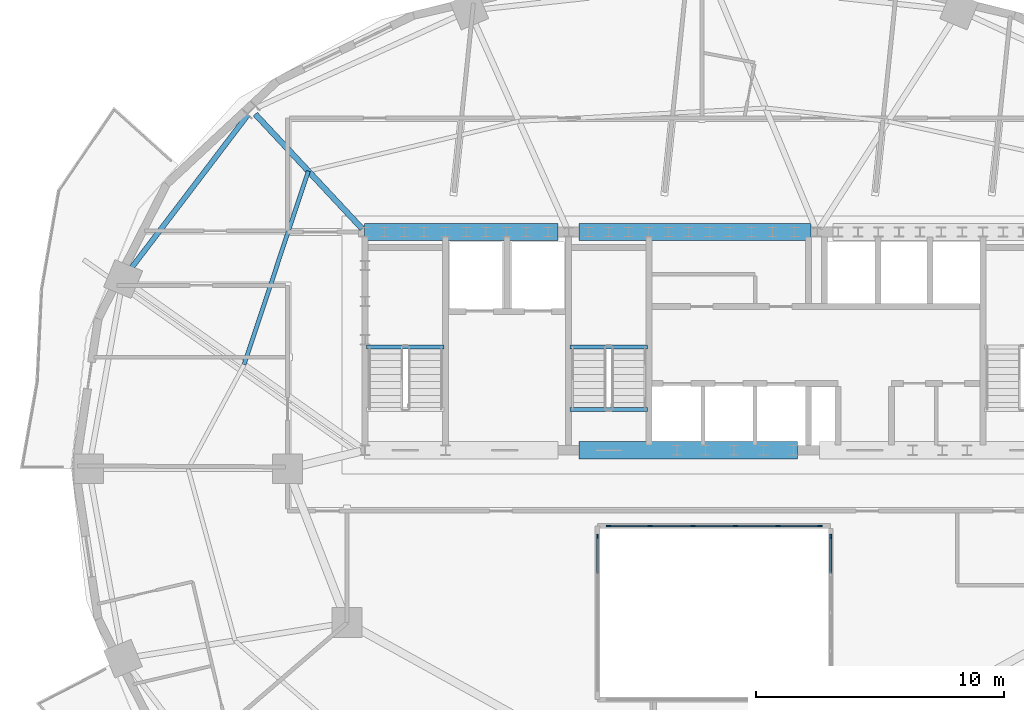
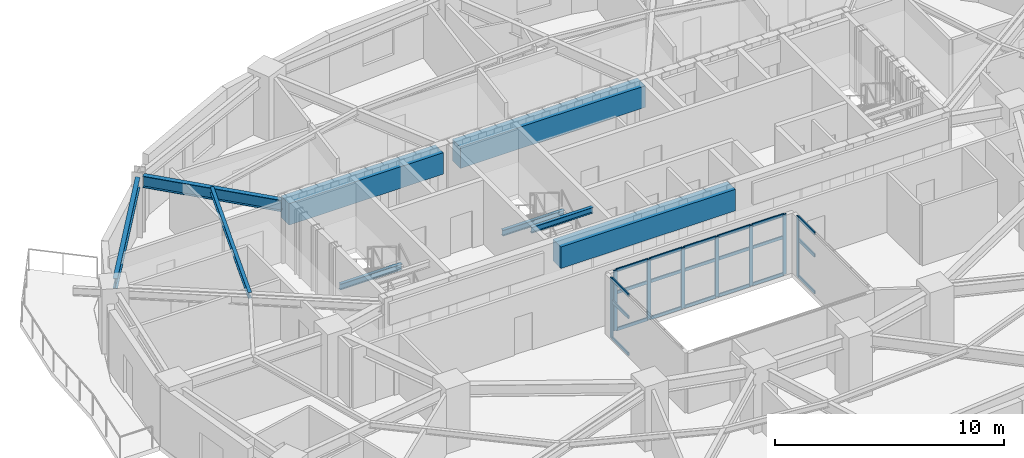
# One storey, part 3 of 13: 29 members, 9 beams, 3 elements without a shape of their own.
"""IFC4 building model written with IfcOpenShell, lengths in metres."""

from ifc_helpers import new_model, si_unit, direction, frame, origin, origin_2d, place, context, subcontext, project, spatial, rectangle, i_section, extrude, material, material_profile, profile_set, type_object, element, aggregate, save


model = new_model("IFC4")

# Units and contexts
model_context = context("Model", 3, precision=1e-05, world=origin(), true_north=direction((0.0, 1.0)))
body_context = subcontext(model_context, "Body", "Model", "MODEL_VIEW")
ifc_project = project(units=[si_unit("LENGTHUNIT", "METRE"), si_unit("AREAUNIT", "SQUARE_METRE"), si_unit("VOLUMEUNIT", "CUBIC_METRE"), si_unit("PLANEANGLEUNIT", "RADIAN"), si_unit("MASSUNIT", "GRAM", prefix="KILO")], contexts=[model_context])

# Site, building, storey
site_placement = place(None, origin())
site = spatial("IfcSite", under=ifc_project, at=site_placement, CompositionType="ELEMENT")
building_placement = place(site_placement, origin())
building = spatial("IfcBuilding", under=site, at=building_placement, Name="Haldorwick Loom Tower", CompositionType="ELEMENT")
storey_placement = place(building_placement, frame((0.0, 0.0, 175.14990234375)))
storey = spatial("IfcBuildingStorey", under=building, at=storey_placement, Name="L47", CompositionType="ELEMENT", Elevation=175.14990234375)

# Curtain wall, members
ifc_material_1 = material(Name="Thermally Broken Anodized Aluminium Curtain Wall Framing", Category="aluminium")
curtain_wall_type = type_object("IfcCurtainWallType", Name="ARC-CW-03", PredefinedType="NOTDEFINED", material=ifc_material_1)
curtain_wall_1_placement = place(storey_placement, origin())
curtain_wall_1 = element("IfcCurtainWall", 1, at=curtain_wall_1_placement, inside=storey, type_object=curtain_wall_type, Name="L47 Atrium Glazed Screen N", PredefinedType="NOTDEFINED")
ifc_material_profile_1 = material_profile(ifc_material_1, rectangle(XDim=0.06591796875, YDim=0.18505859375, at=origin_2d()), Name="ALU_MUL_66X185", Category="aluminium")
ifc_profile_set_1 = profile_set([ifc_material_profile_1], Name="Thermally Broken Anodized Aluminium Curtain Wall Framing")
member_type_1 = type_object("IfcMemberType", Name="ARC-CWM-03", PredefinedType="MULLION", material=ifc_profile_set_1)
member_1_placement = place(storey_placement, frame((31.73291015625, 23.699951171875, 0.0), z_axis=(0.0, 0.0, 1.0), x_axis=(0.0, 1.0, 0.0)))
member_1 = element("IfcMember", 2, at=member_1_placement, type_object=member_type_1, Name="CW-03 mullion 1", PredefinedType="MULLION", context=body_context, shape_type="SweptSolid", body=[
    extrude(rectangle(XDim=0.06591796875, YDim=0.18505859375, at=origin_2d()), origin(), (0.0, 0.0, 1.0), 3.210205078125),
])
member_2_placement = place(storey_placement, frame((33.419921875, 23.699951171875, 0.0), z_axis=(0.0, 0.0, 1.0), x_axis=(0.0, 1.0, 0.0)))
member_2 = element("IfcMember", 3, at=member_2_placement, type_object=member_type_1, Name="CW-03 mullion 2", PredefinedType="MULLION", context=body_context, shape_type="SweptSolid", body=[
    extrude(rectangle(XDim=0.06591796875, YDim=0.18505859375, at=origin_2d()), origin(), (0.0, 0.0, 1.0), 3.210205078125),
])
member_3_placement = place(storey_placement, frame((35.139892578125, 23.699951171875, 0.0), z_axis=(0.0, 0.0, 1.0), x_axis=(0.0, 1.0, 0.0)))
member_3 = element("IfcMember", 4, at=member_3_placement, type_object=member_type_1, Name="CW-03 mullion 3", PredefinedType="MULLION", context=body_context, shape_type="SweptSolid", body=[
    extrude(rectangle(XDim=0.06591796875, YDim=0.18505859375, at=origin_2d()), origin(), (0.0, 0.0, 1.0), 3.210205078125),
])
member_4_placement = place(storey_placement, frame((36.860107421875, 23.699951171875, 0.0), z_axis=(0.0, 0.0, 1.0), x_axis=(0.0, 1.0, 0.0)))
member_4 = element("IfcMember", 5, at=member_4_placement, type_object=member_type_1, Name="CW-03 mullion 4", PredefinedType="MULLION", context=body_context, shape_type="SweptSolid", body=[
    extrude(rectangle(XDim=0.06591796875, YDim=0.18505859375, at=origin_2d()), origin(), (0.0, 0.0, 1.0), 3.210205078125),
])
member_5_placement = place(storey_placement, frame((38.580078125, 23.699951171875, 0.0), z_axis=(0.0, 0.0, 1.0), x_axis=(0.0, 1.0, 0.0)))
member_5 = element("IfcMember", 6, at=member_5_placement, type_object=member_type_1, Name="CW-03 mullion 5", PredefinedType="MULLION", context=body_context, shape_type="SweptSolid", body=[
    extrude(rectangle(XDim=0.06591796875, YDim=0.18505859375, at=origin_2d()), origin(), (0.0, 0.0, 1.0), 3.210205078125),
])
member_6_placement = place(storey_placement, frame((40.26708984375, 23.699951171875, 0.0), z_axis=(0.0, 0.0, 1.0), x_axis=(0.0, 1.0, 0.0)))
member_6 = element("IfcMember", 7, at=member_6_placement, type_object=member_type_1, Name="CW-03 mullion 6", PredefinedType="MULLION", context=body_context, shape_type="SweptSolid", body=[
    extrude(rectangle(XDim=0.06591796875, YDim=0.18505859375, at=origin_2d()), origin(), (0.0, 0.0, 1.0), 3.210205078125),
])

# Curtain wall, member
curtain_wall_2_placement = place(storey_placement, origin())
curtain_wall_2 = element("IfcCurtainWall", 8, at=curtain_wall_2_placement, inside=storey, type_object=curtain_wall_type, Name="L47 Atrium Glazed Screen W", PredefinedType="NOTDEFINED")
member_7_placement = place(storey_placement, frame((31.300048828125, 23.26708984375, 0.0), z_axis=(0.0, 0.0, 1.0), x_axis=(-1.0, 0.0, 0.0)))
member_7 = element("IfcMember", 9, at=member_7_placement, type_object=member_type_1, Name="CW-03 mullion 5", PredefinedType="MULLION", context=body_context, shape_type="SweptSolid", body=[
    extrude(rectangle(XDim=0.06591796875, YDim=0.18505859375, at=origin_2d()), origin(), (0.0, 0.0, 1.0), 3.210205078125),
])

curtain_wall_3_placement = place(storey_placement, origin())
curtain_wall_3 = element("IfcCurtainWall", 10, at=curtain_wall_3_placement, inside=storey, type_object=curtain_wall_type, Name="L47 Atrium Glazed Screen E", PredefinedType="NOTDEFINED")
member_8_placement = place(storey_placement, frame((40.699951171875, 23.26708984375, 0.0), z_axis=(0.0, 0.0, 1.0), x_axis=(1.0, 0.0, 0.0)))
member_8 = element("IfcMember", 11, at=member_8_placement, type_object=member_type_1, Name="CW-03 mullion 1", PredefinedType="MULLION", context=body_context, shape_type="SweptSolid", body=[
    extrude(rectangle(XDim=0.06591796875, YDim=0.18505859375, at=origin_2d()), origin(), (0.0, 0.0, 1.0), 3.210205078125),
])

# Member
ifc_material_profile_2 = material_profile(ifc_material_1, rectangle(XDim=0.06591796875, YDim=0.1650390625, at=origin_2d()), Name="ALU_TRN_66X165", Category="aluminium")
ifc_profile_set_2 = profile_set([ifc_material_profile_2], Name="Thermally Broken Anodized Aluminium Curtain Wall Framing")
member_type_2 = type_object("IfcMemberType", Name="ARC-CWT-03", PredefinedType="USERDEFINED", material=ifc_profile_set_2)
member_9_placement = place(storey_placement, frame((31.76611328125, 23.699951171875, 0.033203125), z_axis=(1.0, 0.0, 0.0), x_axis=(0.0, 1.0, 0.0)))
member_9 = element("IfcMember", 12, at=member_9_placement, type_object=member_type_2, Name="CW-03 transom 1.1", ObjectType="TRANSOM", PredefinedType="USERDEFINED", context=body_context, shape_type="SweptSolid", body=[
    extrude(rectangle(XDim=0.06591796875, YDim=0.1650390625, at=origin_2d()), origin(), (0.0, 0.0, 1.0), 1.620849609375),
])

member_10_placement = place(storey_placement, frame((31.76611328125, 23.699951171875, 2.0), z_axis=(1.0, 0.0, 0.0), x_axis=(0.0, 1.0, 0.0)))
member_10 = element("IfcMember", 13, at=member_10_placement, type_object=member_type_2, Name="CW-03 transom 1.2", ObjectType="TRANSOM", PredefinedType="USERDEFINED", context=body_context, shape_type="SweptSolid", body=[
    extrude(rectangle(XDim=0.06591796875, YDim=0.1650390625, at=origin_2d()), origin(), (0.0, 0.0, 1.0), 1.620849609375),
])

member_11_placement = place(storey_placement, frame((31.76611328125, 23.699951171875, 3.177001953125), z_axis=(1.0, 0.0, 0.0), x_axis=(0.0, 1.0, 0.0)))
member_11 = element("IfcMember", 14, at=member_11_placement, type_object=member_type_2, Name="CW-03 transom 1.3", ObjectType="TRANSOM", PredefinedType="USERDEFINED", context=body_context, shape_type="SweptSolid", body=[
    extrude(rectangle(XDim=0.06591796875, YDim=0.1650390625, at=origin_2d()), origin(), (0.0, 0.0, 1.0), 1.620849609375),
])

member_12_placement = place(storey_placement, frame((33.452880859375, 23.699951171875, 0.033203125), z_axis=(1.0, 0.0, 0.0), x_axis=(0.0, 1.0, 0.0)))
member_12 = element("IfcMember", 15, at=member_12_placement, type_object=member_type_2, Name="CW-03 transom 2.1", ObjectType="TRANSOM", PredefinedType="USERDEFINED", context=body_context, shape_type="SweptSolid", body=[
    extrude(rectangle(XDim=0.06591796875, YDim=0.1650390625, at=origin_2d()), origin(), (0.0, 0.0, 1.0), 1.654052734375),
])

member_13_placement = place(storey_placement, frame((33.452880859375, 23.699951171875, 2.0), z_axis=(1.0, 0.0, 0.0), x_axis=(0.0, 1.0, 0.0)))
member_13 = element("IfcMember", 16, at=member_13_placement, type_object=member_type_2, Name="CW-03 transom 2.2", ObjectType="TRANSOM", PredefinedType="USERDEFINED", context=body_context, shape_type="SweptSolid", body=[
    extrude(rectangle(XDim=0.06591796875, YDim=0.1650390625, at=origin_2d()), origin(), (0.0, 0.0, 1.0), 1.654052734375),
])

member_14_placement = place(storey_placement, frame((33.452880859375, 23.699951171875, 3.177001953125), z_axis=(1.0, 0.0, 0.0), x_axis=(0.0, 1.0, 0.0)))
member_14 = element("IfcMember", 17, at=member_14_placement, type_object=member_type_2, Name="CW-03 transom 2.3", ObjectType="TRANSOM", PredefinedType="USERDEFINED", context=body_context, shape_type="SweptSolid", body=[
    extrude(rectangle(XDim=0.06591796875, YDim=0.1650390625, at=origin_2d()), origin(), (0.0, 0.0, 1.0), 1.654052734375),
])

member_15_placement = place(storey_placement, frame((35.173095703125, 23.699951171875, 0.033203125), z_axis=(1.0, 0.0, 0.0), x_axis=(0.0, 1.0, 0.0)))
member_15 = element("IfcMember", 18, at=member_15_placement, type_object=member_type_2, Name="CW-03 transom 3.1", ObjectType="TRANSOM", PredefinedType="USERDEFINED", context=body_context, shape_type="SweptSolid", body=[
    extrude(rectangle(XDim=0.06591796875, YDim=0.1650390625, at=origin_2d()), origin(), (0.0, 0.0, 1.0), 1.65380859375),
])

member_16_placement = place(storey_placement, frame((35.173095703125, 23.699951171875, 2.0), z_axis=(1.0, 0.0, 0.0), x_axis=(0.0, 1.0, 0.0)))
member_16 = element("IfcMember", 19, at=member_16_placement, type_object=member_type_2, Name="CW-03 transom 3.2", ObjectType="TRANSOM", PredefinedType="USERDEFINED", context=body_context, shape_type="SweptSolid", body=[
    extrude(rectangle(XDim=0.06591796875, YDim=0.1650390625, at=origin_2d()), origin(), (0.0, 0.0, 1.0), 1.65380859375),
])

member_17_placement = place(storey_placement, frame((35.173095703125, 23.699951171875, 3.177001953125), z_axis=(1.0, 0.0, 0.0), x_axis=(0.0, 1.0, 0.0)))
member_17 = element("IfcMember", 20, at=member_17_placement, type_object=member_type_2, Name="CW-03 transom 3.3", ObjectType="TRANSOM", PredefinedType="USERDEFINED", context=body_context, shape_type="SweptSolid", body=[
    extrude(rectangle(XDim=0.06591796875, YDim=0.1650390625, at=origin_2d()), origin(), (0.0, 0.0, 1.0), 1.65380859375),
])

member_18_placement = place(storey_placement, frame((36.89306640625, 23.699951171875, 0.033203125), z_axis=(1.0, 0.0, 0.0), x_axis=(0.0, 1.0, 0.0)))
member_18 = element("IfcMember", 21, at=member_18_placement, type_object=member_type_2, Name="CW-03 transom 4.1", ObjectType="TRANSOM", PredefinedType="USERDEFINED", context=body_context, shape_type="SweptSolid", body=[
    extrude(rectangle(XDim=0.06591796875, YDim=0.1650390625, at=origin_2d()), origin(), (0.0, 0.0, 1.0), 1.654052734375),
])

member_19_placement = place(storey_placement, frame((36.89306640625, 23.699951171875, 2.0), z_axis=(1.0, 0.0, 0.0), x_axis=(0.0, 1.0, 0.0)))
member_19 = element("IfcMember", 22, at=member_19_placement, type_object=member_type_2, Name="CW-03 transom 4.2", ObjectType="TRANSOM", PredefinedType="USERDEFINED", context=body_context, shape_type="SweptSolid", body=[
    extrude(rectangle(XDim=0.06591796875, YDim=0.1650390625, at=origin_2d()), origin(), (0.0, 0.0, 1.0), 1.654052734375),
])

member_20_placement = place(storey_placement, frame((36.89306640625, 23.699951171875, 3.177001953125), z_axis=(1.0, 0.0, 0.0), x_axis=(0.0, 1.0, 0.0)))
member_20 = element("IfcMember", 23, at=member_20_placement, type_object=member_type_2, Name="CW-03 transom 4.3", ObjectType="TRANSOM", PredefinedType="USERDEFINED", context=body_context, shape_type="SweptSolid", body=[
    extrude(rectangle(XDim=0.06591796875, YDim=0.1650390625, at=origin_2d()), origin(), (0.0, 0.0, 1.0), 1.654052734375),
])

member_21_placement = place(storey_placement, frame((38.613037109375, 23.699951171875, 0.033203125), z_axis=(1.0, 0.0, 0.0), x_axis=(0.0, 1.0, 0.0)))
member_21 = element("IfcMember", 24, at=member_21_placement, type_object=member_type_2, Name="CW-03 transom 5.1", ObjectType="TRANSOM", PredefinedType="USERDEFINED", context=body_context, shape_type="SweptSolid", body=[
    extrude(rectangle(XDim=0.06591796875, YDim=0.1650390625, at=origin_2d()), origin(), (0.0, 0.0, 1.0), 1.620849609375),
])

member_22_placement = place(storey_placement, frame((38.613037109375, 23.699951171875, 2.0), z_axis=(1.0, 0.0, 0.0), x_axis=(0.0, 1.0, 0.0)))
member_22 = element("IfcMember", 25, at=member_22_placement, type_object=member_type_2, Name="CW-03 transom 5.2", ObjectType="TRANSOM", PredefinedType="USERDEFINED", context=body_context, shape_type="SweptSolid", body=[
    extrude(rectangle(XDim=0.06591796875, YDim=0.1650390625, at=origin_2d()), origin(), (0.0, 0.0, 1.0), 1.620849609375),
])

member_23_placement = place(storey_placement, frame((38.613037109375, 23.699951171875, 3.177001953125), z_axis=(1.0, 0.0, 0.0), x_axis=(0.0, 1.0, 0.0)))
member_23 = element("IfcMember", 26, at=member_23_placement, type_object=member_type_2, Name="CW-03 transom 5.3", ObjectType="TRANSOM", PredefinedType="USERDEFINED", context=body_context, shape_type="SweptSolid", body=[
    extrude(rectangle(XDim=0.06591796875, YDim=0.1650390625, at=origin_2d()), origin(), (0.0, 0.0, 1.0), 1.620849609375),
])

aggregate(curtain_wall_1, [member_1, member_2, member_3, member_4, member_5, member_6, member_9, member_10, member_11, member_12, member_13, member_14, member_15, member_16, member_17, member_18, member_19, member_20, member_21, member_22, member_23])

member_24_placement = place(storey_placement, frame((31.300048828125, 21.782958984375, 0.033203125), z_axis=(0.0, 1.0, 0.0), x_axis=(-1.0, 0.0, 0.0)))
member_24 = element("IfcMember", 27, at=member_24_placement, type_object=member_type_2, Name="CW-03 transom 4.1", ObjectType="TRANSOM", PredefinedType="USERDEFINED", context=body_context, shape_type="SweptSolid", body=[
    extrude(rectangle(XDim=0.06591796875, YDim=0.1650390625, at=origin_2d()), origin(), (0.0, 0.0, 1.0), 1.450927734375),
])

member_25_placement = place(storey_placement, frame((31.300048828125, 21.782958984375, 2.0), z_axis=(0.0, 1.0, 0.0), x_axis=(-1.0, 0.0, 0.0)))
member_25 = element("IfcMember", 28, at=member_25_placement, type_object=member_type_2, Name="CW-03 transom 4.2", ObjectType="TRANSOM", PredefinedType="USERDEFINED", context=body_context, shape_type="SweptSolid", body=[
    extrude(rectangle(XDim=0.06591796875, YDim=0.1650390625, at=origin_2d()), origin(), (0.0, 0.0, 1.0), 1.450927734375),
])

member_26_placement = place(storey_placement, frame((31.300048828125, 21.782958984375, 3.177001953125), z_axis=(0.0, 1.0, 0.0), x_axis=(-1.0, 0.0, 0.0)))
member_26 = element("IfcMember", 29, at=member_26_placement, type_object=member_type_2, Name="CW-03 transom 4.3", ObjectType="TRANSOM", PredefinedType="USERDEFINED", context=body_context, shape_type="SweptSolid", body=[
    extrude(rectangle(XDim=0.06591796875, YDim=0.1650390625, at=origin_2d()), origin(), (0.0, 0.0, 1.0), 1.450927734375),
])

aggregate(curtain_wall_2, [member_7, member_24, member_25, member_26])

member_27_placement = place(storey_placement, frame((40.699951171875, 23.23388671875, 0.033203125), z_axis=(0.0, -1.0, 0.0), x_axis=(1.0, 0.0, 0.0)))
member_27 = element("IfcMember", 30, at=member_27_placement, type_object=member_type_2, Name="CW-03 transom 1.1", ObjectType="TRANSOM", PredefinedType="USERDEFINED", context=body_context, shape_type="SweptSolid", body=[
    extrude(rectangle(XDim=0.06591796875, YDim=0.1650390625, at=origin_2d()), origin(), (0.0, 0.0, 1.0), 1.450927734375),
])

member_28_placement = place(storey_placement, frame((40.699951171875, 23.23388671875, 2.0), z_axis=(0.0, -1.0, 0.0), x_axis=(1.0, 0.0, 0.0)))
member_28 = element("IfcMember", 31, at=member_28_placement, type_object=member_type_2, Name="CW-03 transom 1.2", ObjectType="TRANSOM", PredefinedType="USERDEFINED", context=body_context, shape_type="SweptSolid", body=[
    extrude(rectangle(XDim=0.06591796875, YDim=0.1650390625, at=origin_2d()), origin(), (0.0, 0.0, 1.0), 1.450927734375),
])

member_29_placement = place(storey_placement, frame((40.699951171875, 23.23388671875, 3.177001953125), z_axis=(0.0, -1.0, 0.0), x_axis=(1.0, 0.0, 0.0)))
member_29 = element("IfcMember", 32, at=member_29_placement, type_object=member_type_2, Name="CW-03 transom 1.3", ObjectType="TRANSOM", PredefinedType="USERDEFINED", context=body_context, shape_type="SweptSolid", body=[
    extrude(rectangle(XDim=0.06591796875, YDim=0.1650390625, at=origin_2d()), origin(), (0.0, 0.0, 1.0), 1.450927734375),
])

aggregate(curtain_wall_3, [member_8, member_27, member_28, member_29])

# Beams
ifc_material_2 = material(Name="Concrete C60 (60 MPa)", Category="concrete")
ifc_material_profile_3 = material_profile(ifc_material_2, rectangle(XDim=0.699951171875, YDim=1.14990234375, at=origin_2d()), Name="RC700X1150", Category="concrete")
ifc_profile_set_3 = profile_set([ifc_material_profile_3], Name="Concrete C60 (60 MPa)")
beam_type_1 = type_object("IfcBeamType", Name="STR-BM-CB1150", PredefinedType="LINTEL", material=ifc_profile_set_3)
beam_1_placement = place(storey_placement, frame((21.89990234375, 35.550048828125, 2.635009765625), z_axis=(1.0, 0.0, 0.0), x_axis=(0.0, 1.0, 0.0)))
element("IfcBeam", 33, at=beam_1_placement, inside=storey, type_object=beam_type_1, Name="L47 Core Coupling Beam CB-N1", PredefinedType="LINTEL", context=body_context, shape_type="SweptSolid", body=[
    extrude(rectangle(XDim=0.699951171875, YDim=1.14990234375, at=origin_2d()), origin(), (0.0, 0.0, 1.0), 7.800048828125),
])
beam_2_placement = place(storey_placement, frame((30.550048828125, 35.550048828125, 2.635009765625), z_axis=(1.0, 0.0, 0.0), x_axis=(0.0, 1.0, 0.0)))
element("IfcBeam", 34, at=beam_2_placement, inside=storey, type_object=beam_type_1, Name="L47 Core Coupling Beam CB-N2", PredefinedType="LINTEL", context=body_context, shape_type="SweptSolid", body=[
    extrude(rectangle(XDim=0.699951171875, YDim=1.14990234375, at=origin_2d()), origin(), (0.0, 0.0, 1.0), 9.349853515625),
])
beam_3_placement = place(storey_placement, frame((30.550048828125, 26.75, 2.635009765625), z_axis=(1.0, 0.0, 0.0), x_axis=(0.0, 1.0, 0.0)))
element("IfcBeam", 35, at=beam_3_placement, inside=storey, type_object=beam_type_1, Name="L47 Core Coupling Beam CB-S2", PredefinedType="LINTEL", context=body_context, shape_type="SweptSolid", body=[
    extrude(rectangle(XDim=0.699951171875, YDim=1.14990234375, at=origin_2d()), origin(), (0.0, 0.0, 1.0), 8.800048828125),
])
ifc_material_3 = material(Name="Steel CSA G40.21 350W", Category="steel")
ifc_material_profile_4 = material_profile(ifc_material_3, i_section(OverallWidth=0.166015625, OverallDepth=0.31298828125, WebThickness=0.006591796875, FlangeThickness=0.01123046875, at=origin_2d()), Name="W310X45", Category="steel")
ifc_profile_set_4 = profile_set([ifc_material_profile_4], Name="Steel CSA G40.21 350W")
beam_type_2 = type_object("IfcBeamType", Name="STR-BM-J310", PredefinedType="JOIST", material=ifc_profile_set_4)
beam_4_placement = place(storey_placement, frame((19.63720703125, 38.007080078125, 3.0537109375), z_axis=(-0.314980632705, -0.949098098734, 0.0), x_axis=(0.949098098734, -0.314980632705, 0.0)))
element("IfcBeam", 36, at=beam_4_placement, inside=storey, type_object=beam_type_2, Name="L47 Mid-Bay Secondary Joist 7", PredefinedType="JOIST", context=body_context, shape_type="SweptSolid", body=[
    extrude(i_section(OverallWidth=0.166015625, OverallDepth=0.31298828125, WebThickness=0.006591796875, FlangeThickness=0.01123046875, at=origin_2d()), origin(), (0.0, 0.0, 1.0), 8.223876953125),
])
ifc_material_profile_5 = material_profile(ifc_material_3, i_section(OverallWidth=0.2119140625, OverallDepth=0.5439453125, WebThickness=0.01318359375, FlangeThickness=0.021240234375, at=origin_2d()), Name="W530X123", Category="steel")
ifc_profile_set_5 = profile_set([ifc_material_profile_5], Name="Steel CSA G40.21 350W")
beam_type_3 = type_object("IfcBeamType", Name="STR-BM-SP530", PredefinedType="SPANDREL", material=ifc_profile_set_5)
beam_5_placement = place(storey_placement, frame((17.208251953125, 40.28515625, 2.93798828125), z_axis=(-0.605421569293, -0.79590497136, 0.0), x_axis=(0.79590497136, -0.605421569293, 0.0)))
element("IfcBeam", 37, at=beam_5_placement, inside=storey, type_object=beam_type_3, Name="L47 Perimeter Spandrel 7", PredefinedType="SPANDREL", context=body_context, shape_type="SweptSolid", body=[
    extrude(i_section(OverallWidth=0.2119140625, OverallDepth=0.5439453125, WebThickness=0.01318359375, FlangeThickness=0.021240234375, at=origin_2d()), origin(), (0.0, 0.0, 1.0), 7.81201171875),
])
ifc_material_profile_6 = material_profile(ifc_material_3, i_section(OverallWidth=0.166015625, OverallDepth=0.31298828125, WebThickness=0.006591796875, FlangeThickness=0.01123046875, at=origin_2d()), Name="W310X45", Category="steel")
ifc_profile_set_6 = profile_set([ifc_material_profile_6], Name="Steel CSA G40.21 350W")
beam_type_4 = type_object("IfcBeamType", Name="STR-BM-STRM", PredefinedType="BEAM", material=ifc_profile_set_6)
for number, where, z_axis, x_axis, name in (
    (38, (21.989990234375, 30.919921875, 1.36865234375), (1.0, 0.0, 0.0), (0.0, 1.0, 0.0), "L47 Stair ST-01 Half-Landing Trimmer 1"),
    (39, (30.18994140625, 28.39990234375, 3.0537109375), (1.0, 0.0, 0.0), (0.0, 1.0, 0.0), "L47 Stair ST-03 Landing Edge Trimmer"),
    (40, (30.18994140625, 30.919921875, 1.36865234375), (1.0, 0.0, 0.0), (0.0, 1.0, 0.0), "L47 Stair ST-03 Half-Landing Trimmer 1"),
):
    element("IfcBeam", number, at=place(storey_placement, frame(where, z_axis=z_axis, x_axis=x_axis)), inside=storey, type_object=beam_type_4, Name=name, PredefinedType="BEAM", context=body_context, shape_type="SweptSolid", body=[
        extrude(i_section(OverallWidth=0.166015625, OverallDepth=0.31298828125, WebThickness=0.006591796875, FlangeThickness=0.01123046875, at=origin_2d()), origin(), (0.0, 0.0, 1.0), 3.1201171875),
    ])
ifc_material_profile_7 = material_profile(ifc_material_3, i_section(OverallWidth=0.22998046875, OverallDepth=0.616943359375, WebThickness=0.01318359375, FlangeThickness=0.022216796875, at=origin_2d()), Name="W610X140", Category="steel")
ifc_profile_set_7 = profile_set([ifc_material_profile_7], Name="Steel CSA G40.21 350W")
beam_type_5 = type_object("IfcBeamType", Name="STR-BM-W610B", PredefinedType="BEAM", material=ifc_profile_set_7)
beam_6_placement = place(storey_placement, frame((21.80859375, 35.68017578125, 2.901611328125), z_axis=(-0.682245282958, 0.731123364339, 0.0), x_axis=(-0.731123364339, -0.682245282958, 0.0)))
element("IfcBeam", 41, at=beam_6_placement, inside=storey, type_object=beam_type_5, Name="L47 Radial Floor Girder 7", PredefinedType="BEAM", context=body_context, shape_type="SweptSolid", body=[
    extrude(i_section(OverallWidth=0.22998046875, OverallDepth=0.616943359375, WebThickness=0.01318359375, FlangeThickness=0.022216796875, at=origin_2d()), origin(), (0.0, 0.0, 1.0), 6.318603515625),
])

save(model, "model.ifc")
